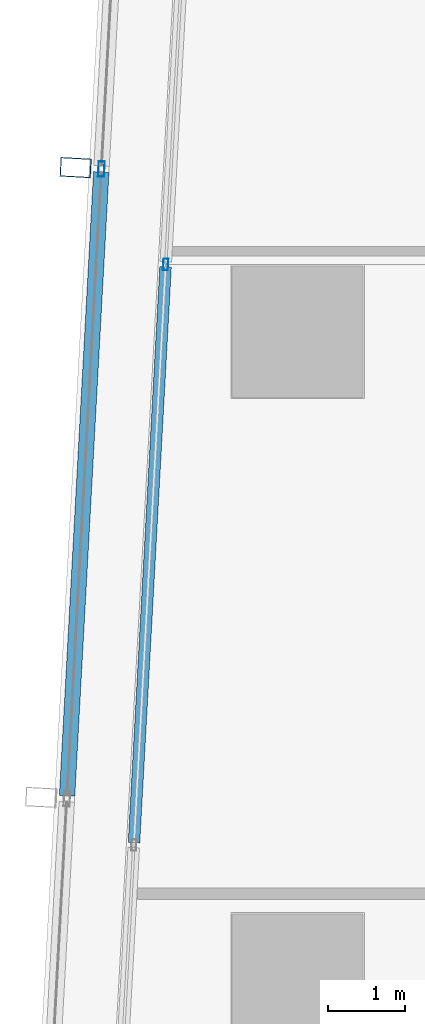
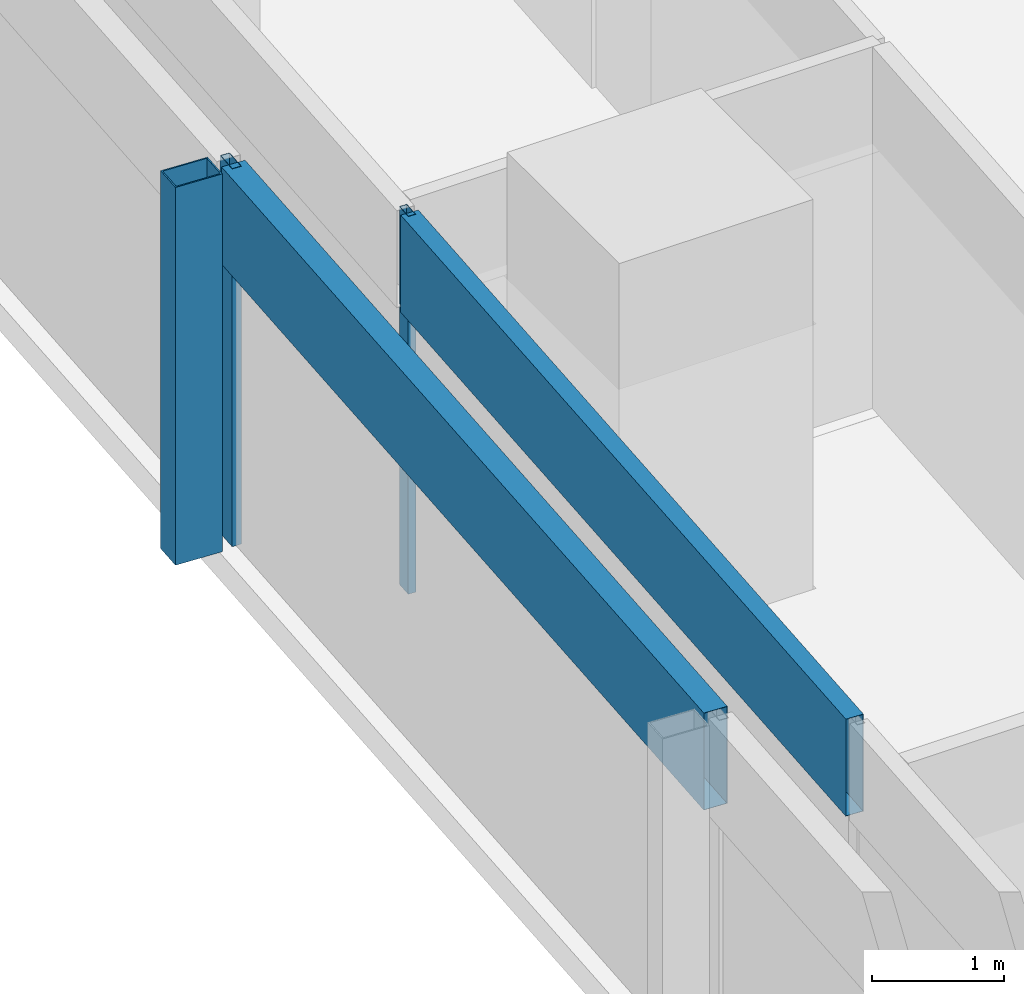
# One storey, part 8 of 40: 5 members, 2 elements without a shape of their own.
"""IFC4 building model written with IfcOpenShell, lengths in metres."""

from ifc_helpers import new_model, si_unit, direction, frame, origin, origin_2d, place, context, subcontext, project, spatial, hollow_rectangle, extrude, material, material_profile, profile_set, type_object, element, aggregate, save


model = new_model("IFC4")

# Units and contexts
model_context = context("Model", 3, precision=1e-05, world=origin(), true_north=direction((0.0, 1.0)))
body_context = subcontext(model_context, "Body", "Model", "MODEL_VIEW")
ifc_project = project(units=[si_unit("LENGTHUNIT", "METRE"), si_unit("AREAUNIT", "SQUARE_METRE"), si_unit("VOLUMEUNIT", "CUBIC_METRE"), si_unit("PLANEANGLEUNIT", "RADIAN"), si_unit("MASSUNIT", "GRAM", prefix="KILO")], contexts=[model_context])

# Site, building, storey
site_placement = place(None, origin())
site = spatial("IfcSite", under=ifc_project, at=site_placement, CompositionType="ELEMENT")
building_placement = place(site_placement, origin())
building = spatial("IfcBuilding", under=site, at=building_placement, Name="Rekha Terrace Tower", CompositionType="ELEMENT")
storey_placement = place(building_placement, frame((0.0, 0.0, 129.050048828125)))
storey = spatial("IfcBuildingStorey", under=building, at=storey_placement, Name="L32", CompositionType="ELEMENT", Elevation=129.050048828125)

# Curtain wall, member
ifc_material_1 = material(Name="Aluminium framing", Category="aluminium")
curtain_wall_type_1 = type_object("IfcCurtainWallType", Name="CW2 double skin outer glazing", PredefinedType="USERDEFINED", material=ifc_material_1)
curtain_wall_1_placement = place(storey_placement, origin())
curtain_wall_1 = element("IfcCurtainWall", 1, at=curtain_wall_1_placement, inside=storey, type_object=curtain_wall_type_1, Name="CW2 double skin outer glazing", ObjectType="DOUBLE SKIN OUTER GLAZING", PredefinedType="USERDEFINED")
ifc_material_2 = material(Name="Steel S355 with fluorocarbon finish", Category="steel")
ifc_material_profile_1 = material_profile(ifc_material_2, hollow_rectangle(XDim=0.25, YDim=0.39990234375, WallThickness=0.012451171875, at=origin_2d()), Name="RHS400x250x12.5")
ifc_profile_set_1 = profile_set([ifc_material_profile_1], Name="Steel S355 with fluorocarbon finish")
member_type_1 = type_object("IfcMemberType", Name="BL1 facade blade RHS 400 x 250", PredefinedType="USERDEFINED", material=ifc_profile_set_1)
member_1_placement = place(storey_placement, frame((5.521728515625, 44.128662109375, 0.0), z_axis=(0.0, 0.0, 1.0), x_axis=(-0.054742798353, -0.998500488747, 0.0)))
member_1 = element("IfcMember", 2, at=member_1_placement, type_object=member_type_1, Name="Facade blade", ObjectType="FACADE BLADE", PredefinedType="USERDEFINED", context=body_context, shape_type="SweptSolid", body=[
    extrude(hollow_rectangle(XDim=0.25, YDim=0.39990234375, WallThickness=0.012451171875, at=origin_2d()), origin(), (0.0, 0.0, 1.0), 3.5),
])

# Curtain wall, members
curtain_wall_type_2 = type_object("IfcCurtainWallType", Name="CW1 double skin inner glazing", PredefinedType="USERDEFINED", material=ifc_material_1)
curtain_wall_2_placement = place(storey_placement, origin())
curtain_wall_2 = element("IfcCurtainWall", 3, at=curtain_wall_2_placement, inside=storey, type_object=curtain_wall_type_2, Name="CW1 double skin inner glazing", ObjectType="DOUBLE SKIN INNER GLAZING", PredefinedType="USERDEFINED")
ifc_material_3 = material(Name="Aluminium mullion section", Category="aluminium")
ifc_material_profile_2 = material_profile(ifc_material_3, hollow_rectangle(XDim=0.06494140625, YDim=0.14990234375, WallThickness=0.00390625, at=origin_2d()), Name="AL RHS 65x150")
ifc_profile_set_2 = profile_set([ifc_material_profile_2], Name="Aluminium mullion section")
member_type_2 = type_object("IfcMemberType", Name="CW1 mullion RHS 65 x 150", PredefinedType="MULLION", material=ifc_profile_set_2)
member_2_placement = place(storey_placement, frame((6.689697265625, 42.87255859375, 0.0), z_axis=(0.0, 0.0, 1.0), x_axis=(0.99850051318, -0.054742352707, 0.0)))
member_2 = element("IfcMember", 4, at=member_2_placement, type_object=member_type_2, Name="CW1 mullion 3", PredefinedType="MULLION", context=body_context, shape_type="SweptSolid", body=[
    extrude(hollow_rectangle(XDim=0.06494140625, YDim=0.14990234375, WallThickness=0.00390625, at=origin_2d()), origin(), (0.0, 0.0, 1.0), 3.5),
])
ifc_material_4 = material(Name="Insulated aluminium spandrel box", Category="aluminium")
ifc_material_profile_3 = material_profile(ifc_material_4, hollow_rectangle(XDim=0.14990234375, YDim=0.89990234375, WallThickness=0.0029296875, at=origin_2d()), Name="AL SPANDREL BOX 150x900")
ifc_profile_set_3 = profile_set([ifc_material_profile_3], Name="Insulated aluminium spandrel box")
member_type_3 = type_object("IfcMemberType", Name="CW1 spandrel transom 150 x 900", PredefinedType="USERDEFINED", material=ifc_profile_set_3)
member_3_placement = place(storey_placement, frame((6.68798828125, 42.840087890625, 3.050048828125), z_axis=(-0.054766415299, -0.998499193668, 0.0), x_axis=(0.998499193668, -0.054766415299, 0.0)))
member_3 = element("IfcMember", 5, at=member_3_placement, type_object=member_type_3, Name="CW1 spandrel transom 3", ObjectType="TRANSOM", PredefinedType="USERDEFINED", context=body_context, shape_type="SweptSolid", body=[
    extrude(hollow_rectangle(XDim=0.14990234375, YDim=0.89990234375, WallThickness=0.0029296875, at=origin_2d()), origin(), (0.0, 0.0, 1.0), 7.475830078125),
])
aggregate(curtain_wall_2, [member_2, member_3])

# Member
ifc_material_profile_4 = material_profile(ifc_material_3, hollow_rectangle(XDim=0.080078125, YDim=0.199951171875, WallThickness=0.00390625, at=origin_2d()), Name="AL RHS 80x200")
ifc_profile_set_4 = profile_set([ifc_material_profile_4], Name="Aluminium mullion section")
member_type_4 = type_object("IfcMemberType", Name="CW2 mullion RHS 80 x 200", PredefinedType="MULLION", material=ifc_profile_set_4)
member_4_placement = place(storey_placement, frame((5.856201171875, 44.1103515625, 0.0), z_axis=(0.0, 0.0, 1.0), x_axis=(0.99850051318, -0.054742352707, 0.0)))
member_4 = element("IfcMember", 6, at=member_4_placement, type_object=member_type_4, Name="CW2 mullion 3", PredefinedType="MULLION", context=body_context, shape_type="SweptSolid", body=[
    extrude(hollow_rectangle(XDim=0.080078125, YDim=0.199951171875, WallThickness=0.00390625, at=origin_2d()), origin(), (0.0, 0.0, 1.0), 3.5),
])

ifc_material_profile_5 = material_profile(ifc_material_4, hollow_rectangle(XDim=0.199951171875, YDim=0.89990234375, WallThickness=0.0029296875, at=origin_2d()), Name="AL SPANDREL BOX 200x900")
ifc_profile_set_5 = profile_set([ifc_material_profile_5], Name="Insulated aluminium spandrel box")
member_type_5 = type_object("IfcMemberType", Name="CW2 spandrel transom 200 x 900", PredefinedType="USERDEFINED", material=ifc_profile_set_5)
member_5_placement = place(storey_placement, frame((5.85400390625, 44.070556640625, 3.050048828125), z_axis=(-0.054735499102, -0.998500888902, 0.0), x_axis=(0.998500888902, -0.054735499102, 0.0)))
member_5 = element("IfcMember", 7, at=member_5_placement, type_object=member_type_5, Name="CW2 spandrel transom 3", ObjectType="TRANSOM", PredefinedType="USERDEFINED", context=body_context, shape_type="SweptSolid", body=[
    extrude(hollow_rectangle(XDim=0.199951171875, YDim=0.89990234375, WallThickness=0.0029296875, at=origin_2d()), origin(), (0.0, 0.0, 1.0), 8.10009765625),
])

aggregate(curtain_wall_1, [member_4, member_5, member_1])

save(model, "model.ifc")
